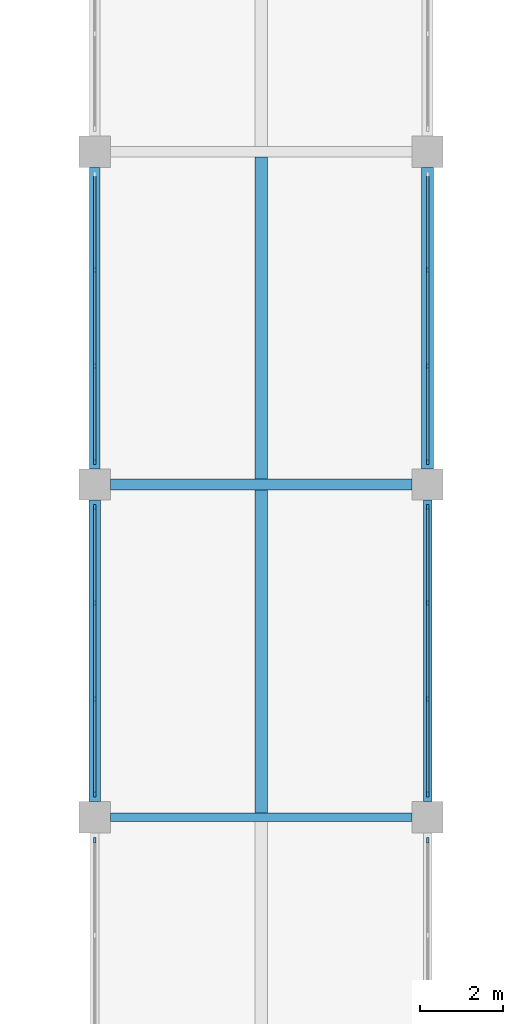
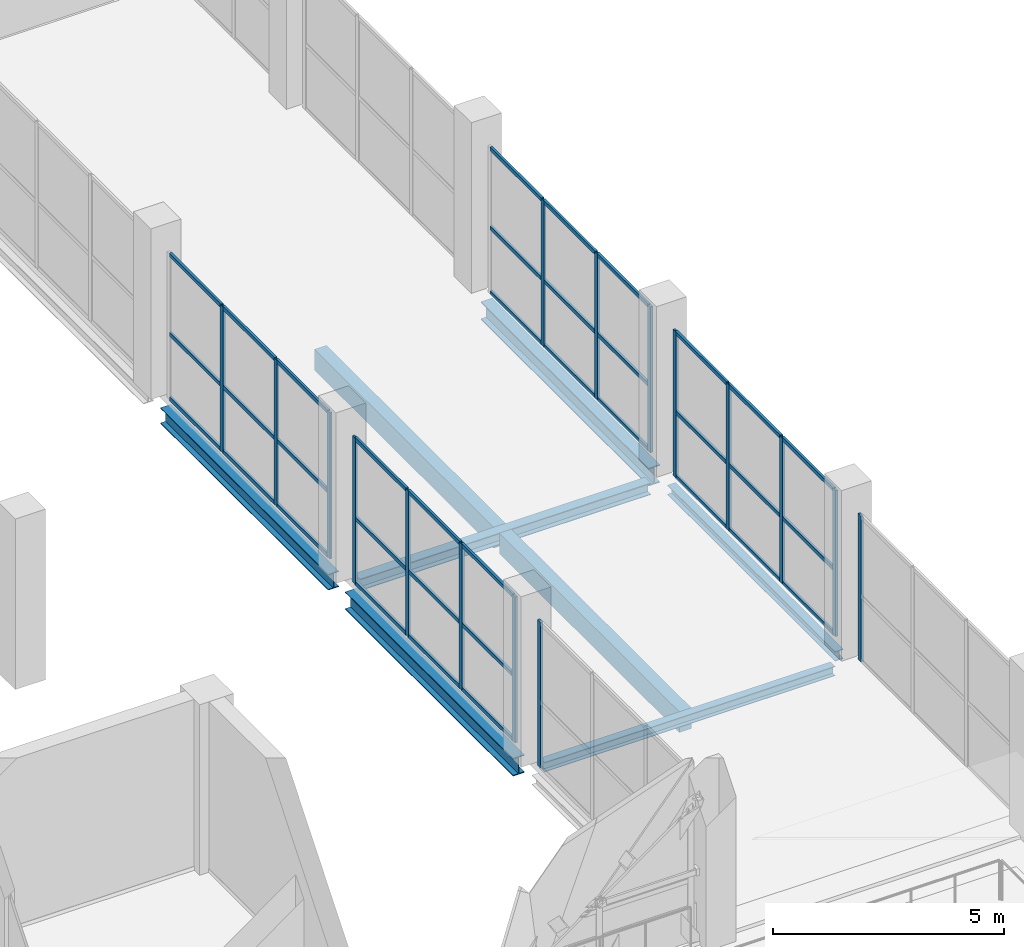
# One storey, part 10 of 53: 52 members, 8 beams, 6 elements without a shape of their own.
"""IFC4 building model written with IfcOpenShell, lengths in metres."""

from ifc_helpers import new_model, si_unit, direction, frame, origin, origin_2d, place, context, subcontext, project, spatial, rectangle, i_section, extrude, material, layer, layer_set, material_profile, profile_set, type_object, element, aggregate, save


model = new_model("IFC4")

# Units and contexts
model_context = context("Model", 3, precision=1e-05, world=origin(), true_north=direction((0.0, 1.0)))
body_context = subcontext(model_context, "Body", "Model", "MODEL_VIEW")
ifc_project = project(units=[si_unit("LENGTHUNIT", "METRE"), si_unit("AREAUNIT", "SQUARE_METRE"), si_unit("VOLUMEUNIT", "CUBIC_METRE"), si_unit("PLANEANGLEUNIT", "RADIAN"), si_unit("MASSUNIT", "GRAM", prefix="KILO")], contexts=[model_context])

# Site, building, storey
site_placement = place(None, origin())
site = spatial("IfcSite", under=ifc_project, at=site_placement, CompositionType="ELEMENT")
building_placement = place(site_placement, origin())
building = spatial("IfcBuilding", under=site, at=building_placement, Name="Qorikala Patio Media Centre", CompositionType="ELEMENT")
storey_placement = place(building_placement, frame((0.0, 0.0, 5.39990234375)))
storey = spatial("IfcBuildingStorey", under=building, at=storey_placement, Name="L01", CompositionType="ELEMENT", Elevation=5.39990234375)

# Curtain wall, member
ifc_material_1 = material(Name="Bronze Anodised Aluminium and Low-E Glass", Category="aluminium")
ifc_layer = layer(ifc_material_1, 0.159912109375)
ifc_layer_set = layer_set([ifc_layer], Name="Bronze Anodised Aluminium and Low-E Glass")
curtain_wall_type = type_object("IfcCurtainWallType", Name="CW-BRG-696X385", PredefinedType="USERDEFINED", material=ifc_layer_set)
curtain_wall_1_placement = place(storey_placement, origin())
curtain_wall_1 = element("IfcCurtainWall", 1, at=curtain_wall_1_placement, inside=storey, type_object=curtain_wall_type, Name="L01 Courtyard Curtain Wall 016", ObjectType="COURTYARD CURTAIN WALL", PredefinedType="USERDEFINED")
ifc_material_2 = material(Name="Bronze Anodised Aluminium", Category="aluminium")
ifc_material_profile_1 = material_profile(ifc_material_2, rectangle(XDim=0.06005859375, YDim=0.1298828125, at=origin_2d()), Name="ALU MULLION 60x130")
ifc_profile_set_1 = profile_set([ifc_material_profile_1], Name="Bronze Anodised Aluminium")
member_type_1 = type_object("IfcMemberType", Name="CWM-60X130", PredefinedType="MULLION", material=ifc_profile_set_1)
member_1_placement = place(storey_placement, frame((51.0, 34.449951171875, 0.0), z_axis=(0.0, 0.0, 1.0), x_axis=(-1.0, 0.0, 0.0)))
member_1 = element("IfcMember", 2, at=member_1_placement, type_object=member_type_1, Name="CWB696385 mullion 4", PredefinedType="MULLION", context=body_context, shape_type="SweptSolid", body=[
    extrude(rectangle(XDim=0.06005859375, YDim=0.1298828125, at=origin_2d()), origin(), (0.0, 0.0, 1.0), 3.85009765625),
])
aggregate(curtain_wall_1, [member_1])

# Curtain wall, members
curtain_wall_2_placement = place(storey_placement, origin())
curtain_wall_2 = element("IfcCurtainWall", 3, at=curtain_wall_2_placement, inside=storey, type_object=curtain_wall_type, Name="L01 Courtyard Curtain Wall 017", ObjectType="COURTYARD CURTAIN WALL", PredefinedType="USERDEFINED")
member_2_placement = place(storey_placement, frame((51.0, 35.550048828125, 0.0), z_axis=(0.0, 0.0, 1.0), x_axis=(-1.0, 0.0, 0.0)))
member_2 = element("IfcMember", 4, at=member_2_placement, type_object=member_type_1, Name="CWB696385 mullion 1", PredefinedType="MULLION", context=body_context, shape_type="SweptSolid", body=[
    extrude(rectangle(XDim=0.06005859375, YDim=0.1298828125, at=origin_2d()), origin(), (0.0, 0.0, 1.0), 3.85009765625),
])
member_3_placement = place(storey_placement, frame((51.0, 37.840087890625, 0.0), z_axis=(0.0, 0.0, 1.0), x_axis=(-1.0, 0.0, 0.0)))
member_3 = element("IfcMember", 5, at=member_3_placement, type_object=member_type_1, Name="CWB696385 mullion 2", PredefinedType="MULLION", context=body_context, shape_type="SweptSolid", body=[
    extrude(rectangle(XDim=0.06005859375, YDim=0.1298828125, at=origin_2d()), origin(), (0.0, 0.0, 1.0), 3.85009765625),
])
member_4_placement = place(storey_placement, frame((51.0, 40.159912109375, 0.0), z_axis=(0.0, 0.0, 1.0), x_axis=(-1.0, 0.0, 0.0)))
member_4 = element("IfcMember", 6, at=member_4_placement, type_object=member_type_1, Name="CWB696385 mullion 3", PredefinedType="MULLION", context=body_context, shape_type="SweptSolid", body=[
    extrude(rectangle(XDim=0.06005859375, YDim=0.1298828125, at=origin_2d()), origin(), (0.0, 0.0, 1.0), 3.85009765625),
])
member_5_placement = place(storey_placement, frame((51.0, 42.449951171875, 0.0), z_axis=(0.0, 0.0, 1.0), x_axis=(-1.0, 0.0, 0.0)))
member_5 = element("IfcMember", 7, at=member_5_placement, type_object=member_type_1, Name="CWB696385 mullion 4", PredefinedType="MULLION", context=body_context, shape_type="SweptSolid", body=[
    extrude(rectangle(XDim=0.06005859375, YDim=0.1298828125, at=origin_2d()), origin(), (0.0, 0.0, 1.0), 3.85009765625),
])

curtain_wall_3_placement = place(storey_placement, origin())
curtain_wall_3 = element("IfcCurtainWall", 8, at=curtain_wall_3_placement, inside=storey, type_object=curtain_wall_type, Name="L01 Courtyard Curtain Wall 018", ObjectType="COURTYARD CURTAIN WALL", PredefinedType="USERDEFINED")
member_6_placement = place(storey_placement, frame((51.0, 43.550048828125, 0.0), z_axis=(0.0, 0.0, 1.0), x_axis=(-1.0, 0.0, 0.0)))
member_6 = element("IfcMember", 9, at=member_6_placement, type_object=member_type_1, Name="CWB696385 mullion 1", PredefinedType="MULLION", context=body_context, shape_type="SweptSolid", body=[
    extrude(rectangle(XDim=0.06005859375, YDim=0.1298828125, at=origin_2d()), origin(), (0.0, 0.0, 1.0), 3.85009765625),
])
member_7_placement = place(storey_placement, frame((51.0, 45.840087890625, 0.0), z_axis=(0.0, 0.0, 1.0), x_axis=(-1.0, 0.0, 0.0)))
member_7 = element("IfcMember", 10, at=member_7_placement, type_object=member_type_1, Name="CWB696385 mullion 2", PredefinedType="MULLION", context=body_context, shape_type="SweptSolid", body=[
    extrude(rectangle(XDim=0.06005859375, YDim=0.1298828125, at=origin_2d()), origin(), (0.0, 0.0, 1.0), 3.85009765625),
])
member_8_placement = place(storey_placement, frame((51.0, 48.159912109375, 0.0), z_axis=(0.0, 0.0, 1.0), x_axis=(-1.0, 0.0, 0.0)))
member_8 = element("IfcMember", 11, at=member_8_placement, type_object=member_type_1, Name="CWB696385 mullion 3", PredefinedType="MULLION", context=body_context, shape_type="SweptSolid", body=[
    extrude(rectangle(XDim=0.06005859375, YDim=0.1298828125, at=origin_2d()), origin(), (0.0, 0.0, 1.0), 3.85009765625),
])

curtain_wall_4_placement = place(storey_placement, origin())
curtain_wall_4 = element("IfcCurtainWall", 12, at=curtain_wall_4_placement, inside=storey, type_object=curtain_wall_type, Name="L01 Courtyard Curtain Wall 027", ObjectType="COURTYARD CURTAIN WALL", PredefinedType="USERDEFINED")
member_9_placement = place(storey_placement, frame((59.0, 48.159912109375, 0.0), z_axis=(0.0, 0.0, 1.0), x_axis=(1.0, 0.0, 0.0)))
member_9 = element("IfcMember", 13, at=member_9_placement, type_object=member_type_1, Name="CWB696385 mullion 2", PredefinedType="MULLION", context=body_context, shape_type="SweptSolid", body=[
    extrude(rectangle(XDim=0.06005859375, YDim=0.1298828125, at=origin_2d()), origin(), (0.0, 0.0, 1.0), 3.85009765625),
])
member_10_placement = place(storey_placement, frame((59.0, 45.840087890625, 0.0), z_axis=(0.0, 0.0, 1.0), x_axis=(1.0, 0.0, 0.0)))
member_10 = element("IfcMember", 14, at=member_10_placement, type_object=member_type_1, Name="CWB696385 mullion 3", PredefinedType="MULLION", context=body_context, shape_type="SweptSolid", body=[
    extrude(rectangle(XDim=0.06005859375, YDim=0.1298828125, at=origin_2d()), origin(), (0.0, 0.0, 1.0), 3.85009765625),
])
member_11_placement = place(storey_placement, frame((59.0, 43.550048828125, 0.0), z_axis=(0.0, 0.0, 1.0), x_axis=(1.0, 0.0, 0.0)))
member_11 = element("IfcMember", 15, at=member_11_placement, type_object=member_type_1, Name="CWB696385 mullion 4", PredefinedType="MULLION", context=body_context, shape_type="SweptSolid", body=[
    extrude(rectangle(XDim=0.06005859375, YDim=0.1298828125, at=origin_2d()), origin(), (0.0, 0.0, 1.0), 3.85009765625),
])

curtain_wall_5_placement = place(storey_placement, origin())
curtain_wall_5 = element("IfcCurtainWall", 16, at=curtain_wall_5_placement, inside=storey, type_object=curtain_wall_type, Name="L01 Courtyard Curtain Wall 028", ObjectType="COURTYARD CURTAIN WALL", PredefinedType="USERDEFINED")
member_12_placement = place(storey_placement, frame((59.0, 42.449951171875, 0.0), z_axis=(0.0, 0.0, 1.0), x_axis=(1.0, 0.0, 0.0)))
member_12 = element("IfcMember", 17, at=member_12_placement, type_object=member_type_1, Name="CWB696385 mullion 1", PredefinedType="MULLION", context=body_context, shape_type="SweptSolid", body=[
    extrude(rectangle(XDim=0.06005859375, YDim=0.1298828125, at=origin_2d()), origin(), (0.0, 0.0, 1.0), 3.85009765625),
])
member_13_placement = place(storey_placement, frame((59.0, 40.159912109375, 0.0), z_axis=(0.0, 0.0, 1.0), x_axis=(1.0, 0.0, 0.0)))
member_13 = element("IfcMember", 18, at=member_13_placement, type_object=member_type_1, Name="CWB696385 mullion 2", PredefinedType="MULLION", context=body_context, shape_type="SweptSolid", body=[
    extrude(rectangle(XDim=0.06005859375, YDim=0.1298828125, at=origin_2d()), origin(), (0.0, 0.0, 1.0), 3.85009765625),
])
member_14_placement = place(storey_placement, frame((59.0, 37.840087890625, 0.0), z_axis=(0.0, 0.0, 1.0), x_axis=(1.0, 0.0, 0.0)))
member_14 = element("IfcMember", 19, at=member_14_placement, type_object=member_type_1, Name="CWB696385 mullion 3", PredefinedType="MULLION", context=body_context, shape_type="SweptSolid", body=[
    extrude(rectangle(XDim=0.06005859375, YDim=0.1298828125, at=origin_2d()), origin(), (0.0, 0.0, 1.0), 3.85009765625),
])
member_15_placement = place(storey_placement, frame((59.0, 35.550048828125, 0.0), z_axis=(0.0, 0.0, 1.0), x_axis=(1.0, 0.0, 0.0)))
member_15 = element("IfcMember", 20, at=member_15_placement, type_object=member_type_1, Name="CWB696385 mullion 4", PredefinedType="MULLION", context=body_context, shape_type="SweptSolid", body=[
    extrude(rectangle(XDim=0.06005859375, YDim=0.1298828125, at=origin_2d()), origin(), (0.0, 0.0, 1.0), 3.85009765625),
])

# Curtain wall, member
curtain_wall_6_placement = place(storey_placement, origin())
curtain_wall_6 = element("IfcCurtainWall", 21, at=curtain_wall_6_placement, inside=storey, type_object=curtain_wall_type, Name="L01 Courtyard Curtain Wall 029", ObjectType="COURTYARD CURTAIN WALL", PredefinedType="USERDEFINED")
member_16_placement = place(storey_placement, frame((59.0, 34.449951171875, 0.0), z_axis=(0.0, 0.0, 1.0), x_axis=(1.0, 0.0, 0.0)))
member_16 = element("IfcMember", 22, at=member_16_placement, type_object=member_type_1, Name="CWB696385 mullion 1", PredefinedType="MULLION", context=body_context, shape_type="SweptSolid", body=[
    extrude(rectangle(XDim=0.06005859375, YDim=0.1298828125, at=origin_2d()), origin(), (0.0, 0.0, 1.0), 3.85009765625),
])
aggregate(curtain_wall_6, [member_16])

# Member
ifc_material_profile_2 = material_profile(ifc_material_2, rectangle(XDim=0.06005859375, YDim=0.10009765625, at=origin_2d()), Name="ALU TRANSOM 60x100")
ifc_profile_set_2 = profile_set([ifc_material_profile_2], Name="Bronze Anodised Aluminium")
member_type_2 = type_object("IfcMemberType", Name="CWT-60X100", PredefinedType="USERDEFINED", material=ifc_profile_set_2)
member_17_placement = place(storey_placement, frame((51.0, 35.580078125, 0.030029296875), z_axis=(0.0, 1.0, 0.0), x_axis=(-1.0, 0.0, 0.0)))
member_17 = element("IfcMember", 23, at=member_17_placement, type_object=member_type_2, Name="CWB696385 transom 1.1", ObjectType="TRANSOM", PredefinedType="USERDEFINED", context=body_context, shape_type="SweptSolid", body=[
    extrude(rectangle(XDim=0.06005859375, YDim=0.10009765625, at=origin_2d()), origin(), (0.0, 0.0, 1.0), 2.22998046875),
])

member_18_placement = place(storey_placement, frame((51.0, 35.580078125, 1.732666015625), z_axis=(0.0, 1.0, 0.0), x_axis=(-1.0, 0.0, 0.0)))
member_18 = element("IfcMember", 24, at=member_18_placement, type_object=member_type_2, Name="CWB696385 transom 1.2", ObjectType="TRANSOM", PredefinedType="USERDEFINED", context=body_context, shape_type="SweptSolid", body=[
    extrude(rectangle(XDim=0.06005859375, YDim=0.10009765625, at=origin_2d()), origin(), (0.0, 0.0, 1.0), 2.22998046875),
])

member_19_placement = place(storey_placement, frame((51.0, 35.580078125, 3.820068359375), z_axis=(0.0, 1.0, 0.0), x_axis=(-1.0, 0.0, 0.0)))
member_19 = element("IfcMember", 25, at=member_19_placement, type_object=member_type_2, Name="CWB696385 transom 1.3", ObjectType="TRANSOM", PredefinedType="USERDEFINED", context=body_context, shape_type="SweptSolid", body=[
    extrude(rectangle(XDim=0.06005859375, YDim=0.10009765625, at=origin_2d()), origin(), (0.0, 0.0, 1.0), 2.22998046875),
])

member_20_placement = place(storey_placement, frame((51.0, 37.8701171875, 0.030029296875), z_axis=(0.0, 1.0, 0.0), x_axis=(-1.0, 0.0, 0.0)))
member_20 = element("IfcMember", 26, at=member_20_placement, type_object=member_type_2, Name="CWB696385 transom 2.1", ObjectType="TRANSOM", PredefinedType="USERDEFINED", context=body_context, shape_type="SweptSolid", body=[
    extrude(rectangle(XDim=0.06005859375, YDim=0.10009765625, at=origin_2d()), origin(), (0.0, 0.0, 1.0), 2.259765625),
])

member_21_placement = place(storey_placement, frame((51.0, 37.8701171875, 1.732666015625), z_axis=(0.0, 1.0, 0.0), x_axis=(-1.0, 0.0, 0.0)))
member_21 = element("IfcMember", 27, at=member_21_placement, type_object=member_type_2, Name="CWB696385 transom 2.2", ObjectType="TRANSOM", PredefinedType="USERDEFINED", context=body_context, shape_type="SweptSolid", body=[
    extrude(rectangle(XDim=0.06005859375, YDim=0.10009765625, at=origin_2d()), origin(), (0.0, 0.0, 1.0), 2.259765625),
])

member_22_placement = place(storey_placement, frame((51.0, 37.8701171875, 3.820068359375), z_axis=(0.0, 1.0, 0.0), x_axis=(-1.0, 0.0, 0.0)))
member_22 = element("IfcMember", 28, at=member_22_placement, type_object=member_type_2, Name="CWB696385 transom 2.3", ObjectType="TRANSOM", PredefinedType="USERDEFINED", context=body_context, shape_type="SweptSolid", body=[
    extrude(rectangle(XDim=0.06005859375, YDim=0.10009765625, at=origin_2d()), origin(), (0.0, 0.0, 1.0), 2.259765625),
])

member_23_placement = place(storey_placement, frame((51.0, 40.18994140625, 0.030029296875), z_axis=(0.0, 1.0, 0.0), x_axis=(-1.0, 0.0, 0.0)))
member_23 = element("IfcMember", 29, at=member_23_placement, type_object=member_type_2, Name="CWB696385 transom 3.1", ObjectType="TRANSOM", PredefinedType="USERDEFINED", context=body_context, shape_type="SweptSolid", body=[
    extrude(rectangle(XDim=0.06005859375, YDim=0.10009765625, at=origin_2d()), origin(), (0.0, 0.0, 1.0), 2.22998046875),
])

member_24_placement = place(storey_placement, frame((51.0, 40.18994140625, 1.732666015625), z_axis=(0.0, 1.0, 0.0), x_axis=(-1.0, 0.0, 0.0)))
member_24 = element("IfcMember", 30, at=member_24_placement, type_object=member_type_2, Name="CWB696385 transom 3.2", ObjectType="TRANSOM", PredefinedType="USERDEFINED", context=body_context, shape_type="SweptSolid", body=[
    extrude(rectangle(XDim=0.06005859375, YDim=0.10009765625, at=origin_2d()), origin(), (0.0, 0.0, 1.0), 2.22998046875),
])

member_25_placement = place(storey_placement, frame((51.0, 40.18994140625, 3.820068359375), z_axis=(0.0, 1.0, 0.0), x_axis=(-1.0, 0.0, 0.0)))
member_25 = element("IfcMember", 31, at=member_25_placement, type_object=member_type_2, Name="CWB696385 transom 3.3", ObjectType="TRANSOM", PredefinedType="USERDEFINED", context=body_context, shape_type="SweptSolid", body=[
    extrude(rectangle(XDim=0.06005859375, YDim=0.10009765625, at=origin_2d()), origin(), (0.0, 0.0, 1.0), 2.22998046875),
])

aggregate(curtain_wall_2, [member_2, member_3, member_4, member_5, member_17, member_18, member_19, member_20, member_21, member_22, member_23, member_24, member_25])

member_26_placement = place(storey_placement, frame((51.0, 43.580078125, 0.030029296875), z_axis=(0.0, 1.0, 0.0), x_axis=(-1.0, 0.0, 0.0)))
member_26 = element("IfcMember", 32, at=member_26_placement, type_object=member_type_2, Name="CWB696385 transom 1.1", ObjectType="TRANSOM", PredefinedType="USERDEFINED", context=body_context, shape_type="SweptSolid", body=[
    extrude(rectangle(XDim=0.06005859375, YDim=0.10009765625, at=origin_2d()), origin(), (0.0, 0.0, 1.0), 2.22998046875),
])

member_27_placement = place(storey_placement, frame((51.0, 43.580078125, 1.732666015625), z_axis=(0.0, 1.0, 0.0), x_axis=(-1.0, 0.0, 0.0)))
member_27 = element("IfcMember", 33, at=member_27_placement, type_object=member_type_2, Name="CWB696385 transom 1.2", ObjectType="TRANSOM", PredefinedType="USERDEFINED", context=body_context, shape_type="SweptSolid", body=[
    extrude(rectangle(XDim=0.06005859375, YDim=0.10009765625, at=origin_2d()), origin(), (0.0, 0.0, 1.0), 2.22998046875),
])

member_28_placement = place(storey_placement, frame((51.0, 43.580078125, 3.820068359375), z_axis=(0.0, 1.0, 0.0), x_axis=(-1.0, 0.0, 0.0)))
member_28 = element("IfcMember", 34, at=member_28_placement, type_object=member_type_2, Name="CWB696385 transom 1.3", ObjectType="TRANSOM", PredefinedType="USERDEFINED", context=body_context, shape_type="SweptSolid", body=[
    extrude(rectangle(XDim=0.06005859375, YDim=0.10009765625, at=origin_2d()), origin(), (0.0, 0.0, 1.0), 2.22998046875),
])

member_29_placement = place(storey_placement, frame((51.0, 45.8701171875, 0.030029296875), z_axis=(0.0, 1.0, 0.0), x_axis=(-1.0, 0.0, 0.0)))
member_29 = element("IfcMember", 35, at=member_29_placement, type_object=member_type_2, Name="CWB696385 transom 2.1", ObjectType="TRANSOM", PredefinedType="USERDEFINED", context=body_context, shape_type="SweptSolid", body=[
    extrude(rectangle(XDim=0.06005859375, YDim=0.10009765625, at=origin_2d()), origin(), (0.0, 0.0, 1.0), 2.259765625),
])

member_30_placement = place(storey_placement, frame((51.0, 45.8701171875, 1.732666015625), z_axis=(0.0, 1.0, 0.0), x_axis=(-1.0, 0.0, 0.0)))
member_30 = element("IfcMember", 36, at=member_30_placement, type_object=member_type_2, Name="CWB696385 transom 2.2", ObjectType="TRANSOM", PredefinedType="USERDEFINED", context=body_context, shape_type="SweptSolid", body=[
    extrude(rectangle(XDim=0.06005859375, YDim=0.10009765625, at=origin_2d()), origin(), (0.0, 0.0, 1.0), 2.259765625),
])

member_31_placement = place(storey_placement, frame((51.0, 45.8701171875, 3.820068359375), z_axis=(0.0, 1.0, 0.0), x_axis=(-1.0, 0.0, 0.0)))
member_31 = element("IfcMember", 37, at=member_31_placement, type_object=member_type_2, Name="CWB696385 transom 2.3", ObjectType="TRANSOM", PredefinedType="USERDEFINED", context=body_context, shape_type="SweptSolid", body=[
    extrude(rectangle(XDim=0.06005859375, YDim=0.10009765625, at=origin_2d()), origin(), (0.0, 0.0, 1.0), 2.259765625),
])

member_32_placement = place(storey_placement, frame((51.0, 48.18994140625, 0.030029296875), z_axis=(0.0, 1.0, 0.0), x_axis=(-1.0, 0.0, 0.0)))
member_32 = element("IfcMember", 38, at=member_32_placement, type_object=member_type_2, Name="CWB696385 transom 3.1", ObjectType="TRANSOM", PredefinedType="USERDEFINED", context=body_context, shape_type="SweptSolid", body=[
    extrude(rectangle(XDim=0.06005859375, YDim=0.10009765625, at=origin_2d()), origin(), (0.0, 0.0, 1.0), 2.22998046875),
])

member_33_placement = place(storey_placement, frame((51.0, 48.18994140625, 1.732666015625), z_axis=(0.0, 1.0, 0.0), x_axis=(-1.0, 0.0, 0.0)))
member_33 = element("IfcMember", 39, at=member_33_placement, type_object=member_type_2, Name="CWB696385 transom 3.2", ObjectType="TRANSOM", PredefinedType="USERDEFINED", context=body_context, shape_type="SweptSolid", body=[
    extrude(rectangle(XDim=0.06005859375, YDim=0.10009765625, at=origin_2d()), origin(), (0.0, 0.0, 1.0), 2.22998046875),
])

member_34_placement = place(storey_placement, frame((51.0, 48.18994140625, 3.820068359375), z_axis=(0.0, 1.0, 0.0), x_axis=(-1.0, 0.0, 0.0)))
member_34 = element("IfcMember", 40, at=member_34_placement, type_object=member_type_2, Name="CWB696385 transom 3.3", ObjectType="TRANSOM", PredefinedType="USERDEFINED", context=body_context, shape_type="SweptSolid", body=[
    extrude(rectangle(XDim=0.06005859375, YDim=0.10009765625, at=origin_2d()), origin(), (0.0, 0.0, 1.0), 2.22998046875),
])

aggregate(curtain_wall_3, [member_6, member_7, member_8, member_26, member_27, member_28, member_29, member_30, member_31, member_32, member_33, member_34])

member_35_placement = place(storey_placement, frame((59.0, 50.419921875, 0.030029296875), z_axis=(0.0, -1.0, 0.0), x_axis=(1.0, 0.0, 0.0)))
member_35 = element("IfcMember", 41, at=member_35_placement, type_object=member_type_2, Name="CWB696385 transom 1.1", ObjectType="TRANSOM", PredefinedType="USERDEFINED", context=body_context, shape_type="SweptSolid", body=[
    extrude(rectangle(XDim=0.06005859375, YDim=0.10009765625, at=origin_2d()), origin(), (0.0, 0.0, 1.0), 2.22998046875),
])

member_36_placement = place(storey_placement, frame((59.0, 50.419921875, 1.732666015625), z_axis=(0.0, -1.0, 0.0), x_axis=(1.0, 0.0, 0.0)))
member_36 = element("IfcMember", 42, at=member_36_placement, type_object=member_type_2, Name="CWB696385 transom 1.2", ObjectType="TRANSOM", PredefinedType="USERDEFINED", context=body_context, shape_type="SweptSolid", body=[
    extrude(rectangle(XDim=0.06005859375, YDim=0.10009765625, at=origin_2d()), origin(), (0.0, 0.0, 1.0), 2.22998046875),
])

member_37_placement = place(storey_placement, frame((59.0, 50.419921875, 3.820068359375), z_axis=(0.0, -1.0, 0.0), x_axis=(1.0, 0.0, 0.0)))
member_37 = element("IfcMember", 43, at=member_37_placement, type_object=member_type_2, Name="CWB696385 transom 1.3", ObjectType="TRANSOM", PredefinedType="USERDEFINED", context=body_context, shape_type="SweptSolid", body=[
    extrude(rectangle(XDim=0.06005859375, YDim=0.10009765625, at=origin_2d()), origin(), (0.0, 0.0, 1.0), 2.22998046875),
])

member_38_placement = place(storey_placement, frame((59.0, 48.1298828125, 0.030029296875), z_axis=(0.0, -1.0, 0.0), x_axis=(1.0, 0.0, 0.0)))
member_38 = element("IfcMember", 44, at=member_38_placement, type_object=member_type_2, Name="CWB696385 transom 2.1", ObjectType="TRANSOM", PredefinedType="USERDEFINED", context=body_context, shape_type="SweptSolid", body=[
    extrude(rectangle(XDim=0.06005859375, YDim=0.10009765625, at=origin_2d()), origin(), (0.0, 0.0, 1.0), 2.259765625),
])

member_39_placement = place(storey_placement, frame((59.0, 48.1298828125, 1.732666015625), z_axis=(0.0, -1.0, 0.0), x_axis=(1.0, 0.0, 0.0)))
member_39 = element("IfcMember", 45, at=member_39_placement, type_object=member_type_2, Name="CWB696385 transom 2.2", ObjectType="TRANSOM", PredefinedType="USERDEFINED", context=body_context, shape_type="SweptSolid", body=[
    extrude(rectangle(XDim=0.06005859375, YDim=0.10009765625, at=origin_2d()), origin(), (0.0, 0.0, 1.0), 2.259765625),
])

member_40_placement = place(storey_placement, frame((59.0, 48.1298828125, 3.820068359375), z_axis=(0.0, -1.0, 0.0), x_axis=(1.0, 0.0, 0.0)))
member_40 = element("IfcMember", 46, at=member_40_placement, type_object=member_type_2, Name="CWB696385 transom 2.3", ObjectType="TRANSOM", PredefinedType="USERDEFINED", context=body_context, shape_type="SweptSolid", body=[
    extrude(rectangle(XDim=0.06005859375, YDim=0.10009765625, at=origin_2d()), origin(), (0.0, 0.0, 1.0), 2.259765625),
])

member_41_placement = place(storey_placement, frame((59.0, 45.81005859375, 0.030029296875), z_axis=(0.0, -1.0, 0.0), x_axis=(1.0, 0.0, 0.0)))
member_41 = element("IfcMember", 47, at=member_41_placement, type_object=member_type_2, Name="CWB696385 transom 3.1", ObjectType="TRANSOM", PredefinedType="USERDEFINED", context=body_context, shape_type="SweptSolid", body=[
    extrude(rectangle(XDim=0.06005859375, YDim=0.10009765625, at=origin_2d()), origin(), (0.0, 0.0, 1.0), 2.22998046875),
])

member_42_placement = place(storey_placement, frame((59.0, 45.81005859375, 1.732666015625), z_axis=(0.0, -1.0, 0.0), x_axis=(1.0, 0.0, 0.0)))
member_42 = element("IfcMember", 48, at=member_42_placement, type_object=member_type_2, Name="CWB696385 transom 3.2", ObjectType="TRANSOM", PredefinedType="USERDEFINED", context=body_context, shape_type="SweptSolid", body=[
    extrude(rectangle(XDim=0.06005859375, YDim=0.10009765625, at=origin_2d()), origin(), (0.0, 0.0, 1.0), 2.22998046875),
])

member_43_placement = place(storey_placement, frame((59.0, 45.81005859375, 3.820068359375), z_axis=(0.0, -1.0, 0.0), x_axis=(1.0, 0.0, 0.0)))
member_43 = element("IfcMember", 49, at=member_43_placement, type_object=member_type_2, Name="CWB696385 transom 3.3", ObjectType="TRANSOM", PredefinedType="USERDEFINED", context=body_context, shape_type="SweptSolid", body=[
    extrude(rectangle(XDim=0.06005859375, YDim=0.10009765625, at=origin_2d()), origin(), (0.0, 0.0, 1.0), 2.22998046875),
])

aggregate(curtain_wall_4, [member_9, member_10, member_11, member_35, member_36, member_37, member_38, member_39, member_40, member_41, member_42, member_43])

member_44_placement = place(storey_placement, frame((59.0, 42.419921875, 0.030029296875), z_axis=(0.0, -1.0, 0.0), x_axis=(1.0, 0.0, 0.0)))
member_44 = element("IfcMember", 50, at=member_44_placement, type_object=member_type_2, Name="CWB696385 transom 1.1", ObjectType="TRANSOM", PredefinedType="USERDEFINED", context=body_context, shape_type="SweptSolid", body=[
    extrude(rectangle(XDim=0.06005859375, YDim=0.10009765625, at=origin_2d()), origin(), (0.0, 0.0, 1.0), 2.22998046875),
])

member_45_placement = place(storey_placement, frame((59.0, 42.419921875, 1.732666015625), z_axis=(0.0, -1.0, 0.0), x_axis=(1.0, 0.0, 0.0)))
member_45 = element("IfcMember", 51, at=member_45_placement, type_object=member_type_2, Name="CWB696385 transom 1.2", ObjectType="TRANSOM", PredefinedType="USERDEFINED", context=body_context, shape_type="SweptSolid", body=[
    extrude(rectangle(XDim=0.06005859375, YDim=0.10009765625, at=origin_2d()), origin(), (0.0, 0.0, 1.0), 2.22998046875),
])

member_46_placement = place(storey_placement, frame((59.0, 42.419921875, 3.820068359375), z_axis=(0.0, -1.0, 0.0), x_axis=(1.0, 0.0, 0.0)))
member_46 = element("IfcMember", 52, at=member_46_placement, type_object=member_type_2, Name="CWB696385 transom 1.3", ObjectType="TRANSOM", PredefinedType="USERDEFINED", context=body_context, shape_type="SweptSolid", body=[
    extrude(rectangle(XDim=0.06005859375, YDim=0.10009765625, at=origin_2d()), origin(), (0.0, 0.0, 1.0), 2.22998046875),
])

member_47_placement = place(storey_placement, frame((59.0, 40.1298828125, 0.030029296875), z_axis=(0.0, -1.0, 0.0), x_axis=(1.0, 0.0, 0.0)))
member_47 = element("IfcMember", 53, at=member_47_placement, type_object=member_type_2, Name="CWB696385 transom 2.1", ObjectType="TRANSOM", PredefinedType="USERDEFINED", context=body_context, shape_type="SweptSolid", body=[
    extrude(rectangle(XDim=0.06005859375, YDim=0.10009765625, at=origin_2d()), origin(), (0.0, 0.0, 1.0), 2.259765625),
])

member_48_placement = place(storey_placement, frame((59.0, 40.1298828125, 1.732666015625), z_axis=(0.0, -1.0, 0.0), x_axis=(1.0, 0.0, 0.0)))
member_48 = element("IfcMember", 54, at=member_48_placement, type_object=member_type_2, Name="CWB696385 transom 2.2", ObjectType="TRANSOM", PredefinedType="USERDEFINED", context=body_context, shape_type="SweptSolid", body=[
    extrude(rectangle(XDim=0.06005859375, YDim=0.10009765625, at=origin_2d()), origin(), (0.0, 0.0, 1.0), 2.259765625),
])

member_49_placement = place(storey_placement, frame((59.0, 40.1298828125, 3.820068359375), z_axis=(0.0, -1.0, 0.0), x_axis=(1.0, 0.0, 0.0)))
member_49 = element("IfcMember", 55, at=member_49_placement, type_object=member_type_2, Name="CWB696385 transom 2.3", ObjectType="TRANSOM", PredefinedType="USERDEFINED", context=body_context, shape_type="SweptSolid", body=[
    extrude(rectangle(XDim=0.06005859375, YDim=0.10009765625, at=origin_2d()), origin(), (0.0, 0.0, 1.0), 2.259765625),
])

member_50_placement = place(storey_placement, frame((59.0, 37.81005859375, 0.030029296875), z_axis=(0.0, -1.0, 0.0), x_axis=(1.0, 0.0, 0.0)))
member_50 = element("IfcMember", 56, at=member_50_placement, type_object=member_type_2, Name="CWB696385 transom 3.1", ObjectType="TRANSOM", PredefinedType="USERDEFINED", context=body_context, shape_type="SweptSolid", body=[
    extrude(rectangle(XDim=0.06005859375, YDim=0.10009765625, at=origin_2d()), origin(), (0.0, 0.0, 1.0), 2.22998046875),
])

member_51_placement = place(storey_placement, frame((59.0, 37.81005859375, 1.732666015625), z_axis=(0.0, -1.0, 0.0), x_axis=(1.0, 0.0, 0.0)))
member_51 = element("IfcMember", 57, at=member_51_placement, type_object=member_type_2, Name="CWB696385 transom 3.2", ObjectType="TRANSOM", PredefinedType="USERDEFINED", context=body_context, shape_type="SweptSolid", body=[
    extrude(rectangle(XDim=0.06005859375, YDim=0.10009765625, at=origin_2d()), origin(), (0.0, 0.0, 1.0), 2.22998046875),
])

member_52_placement = place(storey_placement, frame((59.0, 37.81005859375, 3.820068359375), z_axis=(0.0, -1.0, 0.0), x_axis=(1.0, 0.0, 0.0)))
member_52 = element("IfcMember", 58, at=member_52_placement, type_object=member_type_2, Name="CWB696385 transom 3.3", ObjectType="TRANSOM", PredefinedType="USERDEFINED", context=body_context, shape_type="SweptSolid", body=[
    extrude(rectangle(XDim=0.06005859375, YDim=0.10009765625, at=origin_2d()), origin(), (0.0, 0.0, 1.0), 2.22998046875),
])

aggregate(curtain_wall_5, [member_12, member_13, member_14, member_15, member_44, member_45, member_46, member_47, member_48, member_49, member_50, member_51, member_52])

# Beams
ifc_material_3 = material(Name="Concrete C35/45", Category="concrete")
ifc_material_profile_3 = material_profile(ifc_material_3, rectangle(XDim=0.300048828125, YDim=0.550048828125, at=origin_2d()), Name="RC 300x550")
ifc_profile_set_3 = profile_set([ifc_material_profile_3], Name="Concrete C35/45")
beam_type_1 = type_object("IfcBeamType", Name="JS-300X550", PredefinedType="JOIST", material=ifc_profile_set_3)
beam_1_placement = place(storey_placement, frame((55.0, 35.1015625, -0.574951171875), z_axis=(0.0, 1.0, 0.0), x_axis=(-1.0, 0.0, 0.0)))
element("IfcBeam", 59, at=beam_1_placement, inside=storey, type_object=beam_type_1, Name="L01 Secondary Joist 0704", PredefinedType="JOIST", context=body_context, shape_type="SweptSolid", body=[
    extrude(rectangle(XDim=0.300048828125, YDim=0.550048828125, at=origin_2d()), origin(), (0.0, 0.0, 1.0), 7.771484375),
])
beam_2_placement = place(storey_placement, frame((55.0, 43.126953125, -0.574951171875), z_axis=(0.0, 1.0, 0.0), x_axis=(-1.0, 0.0, 0.0)))
element("IfcBeam", 60, at=beam_2_placement, inside=storey, type_object=beam_type_1, Name="L01 Secondary Joist 0705", PredefinedType="JOIST", context=body_context, shape_type="SweptSolid", body=[
    extrude(rectangle(XDim=0.300048828125, YDim=0.550048828125, at=origin_2d()), origin(), (0.0, 0.0, 1.0), 7.742431640625),
])
ifc_material_4 = material(Name="Steel S355", Category="steel")
ifc_material_profile_4 = material_profile(ifc_material_4, i_section(OverallWidth=0.202880859375, OverallDepth=0.251953125, WebThickness=0.008056640625, FlangeThickness=0.013427734375, at=origin_2d()), Name="W250X58")
ifc_profile_set_4 = profile_set([ifc_material_profile_4], Name="Steel S355")
beam_type_2 = type_object("IfcBeamType", Name="SBM-W250X58", PredefinedType="BEAM", material=ifc_profile_set_4)
beam_3_placement = place(storey_placement, frame((51.375, 35.0, -0.42578125), z_axis=(1.0, 0.0, 0.0), x_axis=(0.0, 1.0, 0.0)))
element("IfcBeam", 61, at=beam_3_placement, inside=storey, type_object=beam_type_2, Name="L01 Grid 35 Beam 0483", PredefinedType="BEAM", context=body_context, shape_type="SweptSolid", body=[
    extrude(i_section(OverallWidth=0.202880859375, OverallDepth=0.251953125, WebThickness=0.008056640625, FlangeThickness=0.013427734375, at=origin_2d()), origin(), (0.0, 0.0, 1.0), 7.25),
])
ifc_material_profile_5 = material_profile(ifc_material_4, i_section(OverallWidth=0.202880859375, OverallDepth=0.251953125, WebThickness=0.008056640625, FlangeThickness=0.013427734375, at=origin_2d()), Name="W250X58")
ifc_profile_set_5 = profile_set([ifc_material_profile_5], Name="Steel S355")
beam_type_3 = type_object("IfcBeamType", Name="SBM-W250X58-EXT", PredefinedType="BEAM", material=ifc_profile_set_5)
beam_4_placement = place(storey_placement, frame((59.0, 35.375, -0.42578125), z_axis=(0.0, 1.0, 0.0), x_axis=(-1.0, 0.0, 0.0)))
element("IfcBeam", 62, at=beam_4_placement, inside=storey, type_object=beam_type_3, Name="L01 Grid X=59 Beam 0609", PredefinedType="BEAM", context=body_context, shape_type="SweptSolid", body=[
    extrude(i_section(OverallWidth=0.202880859375, OverallDepth=0.251953125, WebThickness=0.008056640625, FlangeThickness=0.013427734375, at=origin_2d()), origin(), (0.0, 0.0, 1.0), 7.25),
])
ifc_material_profile_6 = material_profile(ifc_material_4, i_section(OverallWidth=0.25390625, OverallDepth=0.31005859375, WebThickness=0.009033203125, FlangeThickness=0.016357421875, at=origin_2d()), Name="W310X86")
ifc_profile_set_6 = profile_set([ifc_material_profile_6], Name="Steel S355")
beam_type_4 = type_object("IfcBeamType", Name="SBM-W310X86", PredefinedType="BEAM", material=ifc_profile_set_6)
beam_5_placement = place(storey_placement, frame((51.375, 43.0, -0.454833984375), z_axis=(1.0, 0.0, 0.0), x_axis=(0.0, 1.0, 0.0)))
element("IfcBeam", 63, at=beam_5_placement, inside=storey, type_object=beam_type_4, Name="L01 Grid 43 Beam 0488", PredefinedType="BEAM", context=body_context, shape_type="SweptSolid", body=[
    extrude(i_section(OverallWidth=0.25390625, OverallDepth=0.31005859375, WebThickness=0.009033203125, FlangeThickness=0.016357421875, at=origin_2d()), origin(), (0.0, 0.0, 1.0), 7.25),
])
ifc_material_profile_7 = material_profile(ifc_material_4, i_section(OverallWidth=0.260986328125, OverallDepth=0.419921875, WebThickness=0.01318359375, FlangeThickness=0.022216796875, at=origin_2d()), Name="W410X114")
ifc_profile_set_7 = profile_set([ifc_material_profile_7], Name="Steel S355")
beam_type_5 = type_object("IfcBeamType", Name="SBM-W410X114-EXT", PredefinedType="BEAM", material=ifc_profile_set_7)
beam_6_placement = place(storey_placement, frame((51.0, 43.375, -0.510009765625), z_axis=(0.0, 1.0, 0.0), x_axis=(-1.0, 0.0, 0.0)))
element("IfcBeam", 64, at=beam_6_placement, inside=storey, type_object=beam_type_5, Name="L01 Grid X=51 Beam 0597", PredefinedType="BEAM", context=body_context, shape_type="SweptSolid", body=[
    extrude(i_section(OverallWidth=0.260986328125, OverallDepth=0.419921875, WebThickness=0.01318359375, FlangeThickness=0.022216796875, at=origin_2d()), origin(), (0.0, 0.0, 1.0), 7.25),
])
ifc_material_profile_8 = material_profile(ifc_material_4, i_section(OverallWidth=0.282958984375, OverallDepth=0.471923828125, WebThickness=0.014892578125, FlangeThickness=0.025390625, at=origin_2d()), Name="W460X144")
ifc_profile_set_8 = profile_set([ifc_material_profile_8], Name="Steel S355")
beam_type_6 = type_object("IfcBeamType", Name="SBM-W460X144-EXT", PredefinedType="BEAM", material=ifc_profile_set_8)
for number, where, z_axis, x_axis, name in (
    (65, (51.0, 35.375, -0.535888671875), (0.0, 1.0, 0.0), (-1.0, 0.0, 0.0), "L01 Grid X=51 Beam 0596"),
    (66, (59.0, 43.375, -0.535888671875), (0.0, 1.0, 0.0), (-1.0, 0.0, 0.0), "L01 Grid X=59 Beam 0610"),
):
    element("IfcBeam", number, at=place(storey_placement, frame(where, z_axis=z_axis, x_axis=x_axis)), inside=storey, type_object=beam_type_6, Name=name, PredefinedType="BEAM", context=body_context, shape_type="SweptSolid", body=[
        extrude(i_section(OverallWidth=0.282958984375, OverallDepth=0.471923828125, WebThickness=0.014892578125, FlangeThickness=0.025390625, at=origin_2d()), origin(), (0.0, 0.0, 1.0), 7.25),
    ])

save(model, "model.ifc")
